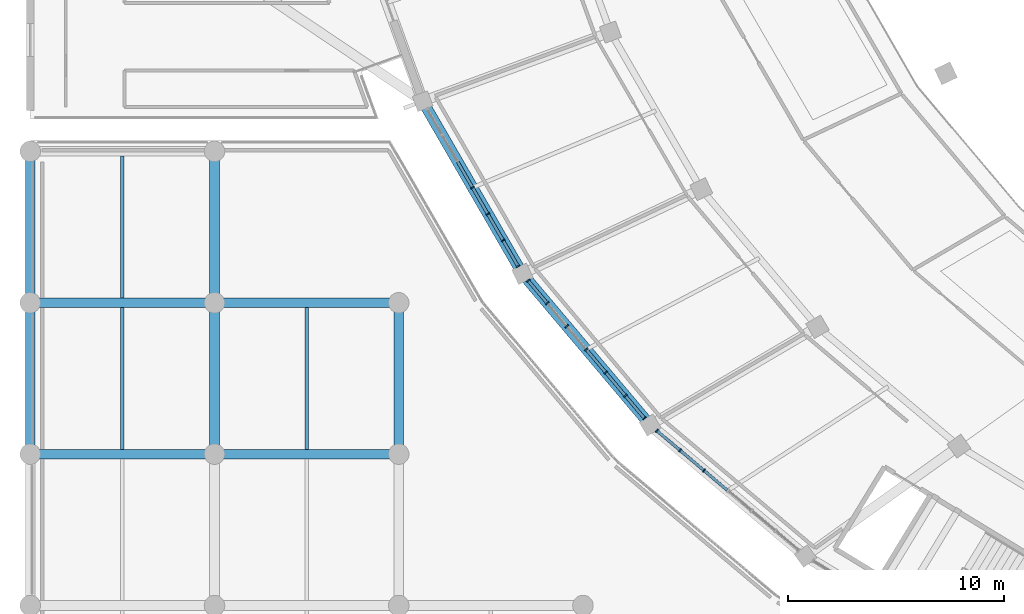
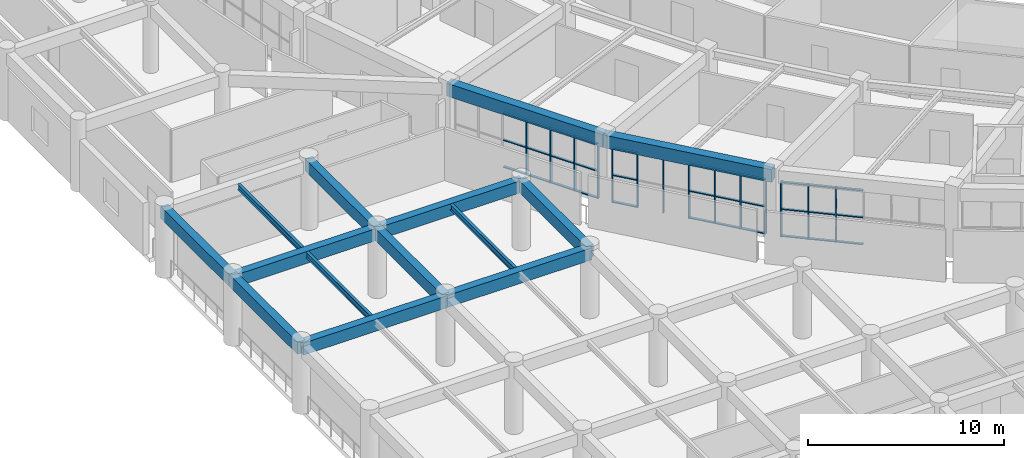
# One storey, part 17 of 141: 47 members, 14 beams, 3 elements without a shape of their own.
"""IFC4 building model written with IfcOpenShell, lengths in metres."""

from ifc_helpers import new_model, si_unit, direction, frame, origin, origin_2d, place, context, subcontext, project, spatial, rectangle, i_section, extrude, material, layer, layer_set, material_profile, profile_set, type_object, element, aggregate, save


model = new_model("IFC4")

# Units and contexts
model_context = context("Model", 3, precision=1e-05, world=origin(), true_north=direction((0.0, 1.0)))
body_context = subcontext(model_context, "Body", "Model", "MODEL_VIEW")
ifc_project = project(units=[si_unit("LENGTHUNIT", "METRE"), si_unit("AREAUNIT", "SQUARE_METRE"), si_unit("VOLUMEUNIT", "CUBIC_METRE"), si_unit("PLANEANGLEUNIT", "RADIAN"), si_unit("MASSUNIT", "GRAM", prefix="KILO")], contexts=[model_context])

# Site, building, storey
site_placement = place(None, origin())
site = spatial("IfcSite", under=ifc_project, at=site_placement, CompositionType="ELEMENT")
building_placement = place(site_placement, origin())
building = spatial("IfcBuilding", under=site, at=building_placement, Name="Mphavela Belvedere Stadium", CompositionType="ELEMENT")
storey_placement = place(building_placement, frame((0.0, 0.0, 14.699951171875)))
storey = spatial("IfcBuildingStorey", under=building, at=storey_placement, Name="L03", CompositionType="ELEMENT", Elevation=14.699951171875)

# Beams
ifc_material_1 = material(Name="Steel S355", Category="steel")
ifc_material_profile_1 = material_profile(ifc_material_1, i_section(OverallWidth=0.169921875, OverallDepth=0.360107421875, WebThickness=0.008056640625, FlangeThickness=0.0126953125, at=origin_2d()), Name="IPE 360")
ifc_profile_set_1 = profile_set([ifc_material_profile_1], Name="Steel S355")
beam_type_1 = type_object("IfcBeamType", Name="BM-JOIST-IPE360", PredefinedType="JOIST", material=ifc_profile_set_1)
for number, where, z_axis, x_axis, name in (
    (1, (4.259521484375, 35.22509765625, 4.06005859375), (0.0, 1.0, 0.0), (-1.0, 0.0, 0.0), "South Axial Triumphal Peristyle Portico secondary joist L03 1-6"),
    (2, (4.259521484375, 42.22509765625, 4.06005859375), (0.0, 1.0, 0.0), (-1.0, 0.0, 0.0), "South Axial Triumphal Peristyle Portico secondary joist L03 1-7"),
    (3, (12.778076171875, 35.22509765625, 4.06005859375), (0.0, 1.0, 0.0), (-1.0, 0.0, 0.0), "South Axial Triumphal Peristyle Portico secondary joist L03 2-6"),
):
    element("IfcBeam", number, at=place(storey_placement, frame(where, z_axis=z_axis, x_axis=x_axis)), inside=storey, type_object=beam_type_1, Name=name, PredefinedType="JOIST", context=body_context, shape_type="SweptSolid", body=[
        extrude(i_section(OverallWidth=0.169921875, OverallDepth=0.360107421875, WebThickness=0.008056640625, FlangeThickness=0.0126953125, at=origin_2d()), origin(), (0.0, 0.0, 1.0), 6.5498046875),
    ])
ifc_material_2 = material(Name="Concrete C40/50", Category="concrete")
ifc_material_profile_2 = material_profile(ifc_material_2, rectangle(XDim=0.449951171875, YDim=0.75, at=origin_2d()), Name="RC 450x750")
ifc_profile_set_2 = profile_set([ifc_material_profile_2], Name="Concrete C40/50")
beam_type_2 = type_object("IfcBeamType", Name="BM-RC450x750", PredefinedType="BEAM", material=ifc_profile_set_2)
beam_1_placement = place(storey_placement, frame((0.0, 35.0, 3.864990234375), z_axis=(1.0, 0.0, 0.0), x_axis=(0.0, 1.0, 0.0)))
element("IfcBeam", 4, at=beam_1_placement, inside=storey, type_object=beam_type_2, Name="South Axial Triumphal Peristyle Portico entablature beam X L03 1-6", PredefinedType="BEAM", context=body_context, shape_type="SweptSolid", body=[
    extrude(rectangle(XDim=0.449951171875, YDim=0.75, at=origin_2d()), origin(), (0.0, 0.0, 1.0), 8.51904296875),
])
beam_2_placement = place(storey_placement, frame((0.0, 35.0, 3.864990234375), z_axis=(0.0, 1.0, 0.0), x_axis=(-1.0, 0.0, 0.0)))
element("IfcBeam", 5, at=beam_2_placement, inside=storey, type_object=beam_type_2, Name="South Axial Triumphal Peristyle Portico entablature beam Y L03 1-6", PredefinedType="BEAM", context=body_context, shape_type="SweptSolid", body=[
    extrude(rectangle(XDim=0.449951171875, YDim=0.75, at=origin_2d()), origin(), (0.0, 0.0, 1.0), 7.0),
])
beam_3_placement = place(storey_placement, frame((0.0, 42.0, 3.864990234375), z_axis=(1.0, 0.0, 0.0), x_axis=(0.0, 1.0, 0.0)))
element("IfcBeam", 6, at=beam_3_placement, inside=storey, type_object=beam_type_2, Name="South Axial Triumphal Peristyle Portico entablature beam X L03 1-7", PredefinedType="BEAM", context=body_context, shape_type="SweptSolid", body=[
    extrude(rectangle(XDim=0.449951171875, YDim=0.75, at=origin_2d()), origin(), (0.0, 0.0, 1.0), 8.51904296875),
])
beam_4_placement = place(storey_placement, frame((0.0, 42.0, 3.864990234375), z_axis=(0.0, 1.0, 0.0), x_axis=(-1.0, 0.0, 0.0)))
element("IfcBeam", 7, at=beam_4_placement, inside=storey, type_object=beam_type_2, Name="South Axial Triumphal Peristyle Portico entablature beam Y L03 1-7", PredefinedType="BEAM", context=body_context, shape_type="SweptSolid", body=[
    extrude(rectangle(XDim=0.449951171875, YDim=0.75, at=origin_2d()), origin(), (0.0, 0.0, 1.0), 7.0),
])
beam_5_placement = place(storey_placement, frame((8.51904296875, 35.0, 3.864990234375), z_axis=(1.0, 0.0, 0.0), x_axis=(0.0, 1.0, 0.0)))
element("IfcBeam", 8, at=beam_5_placement, inside=storey, type_object=beam_type_2, Name="South Axial Triumphal Peristyle Portico entablature beam X L03 2-6", PredefinedType="BEAM", context=body_context, shape_type="SweptSolid", body=[
    extrude(rectangle(XDim=0.449951171875, YDim=0.75, at=origin_2d()), origin(), (0.0, 0.0, 1.0), 8.51806640625),
])
beam_6_placement = place(storey_placement, frame((8.51904296875, 35.0, 3.864990234375), z_axis=(0.0, 1.0, 0.0), x_axis=(-1.0, 0.0, 0.0)))
element("IfcBeam", 9, at=beam_6_placement, inside=storey, type_object=beam_type_2, Name="South Axial Triumphal Peristyle Portico entablature beam Y L03 2-6", PredefinedType="BEAM", context=body_context, shape_type="SweptSolid", body=[
    extrude(rectangle(XDim=0.449951171875, YDim=0.75, at=origin_2d()), origin(), (0.0, 0.0, 1.0), 7.0),
])
beam_7_placement = place(storey_placement, frame((8.51904296875, 42.0, 3.864990234375), z_axis=(1.0, 0.0, 0.0), x_axis=(0.0, 1.0, 0.0)))
element("IfcBeam", 10, at=beam_7_placement, inside=storey, type_object=beam_type_2, Name="South Axial Triumphal Peristyle Portico entablature beam X L03 2-7", PredefinedType="BEAM", context=body_context, shape_type="SweptSolid", body=[
    extrude(rectangle(XDim=0.449951171875, YDim=0.75, at=origin_2d()), origin(), (0.0, 0.0, 1.0), 8.51806640625),
])
for number, where, z_axis, x_axis, name in (
    (11, (8.51904296875, 42.0, 3.864990234375), (0.0, 1.0, 0.0), (-1.0, 0.0, 0.0), "South Axial Triumphal Peristyle Portico entablature beam Y L03 2-7"),
    (12, (17.037109375, 35.0, 3.864990234375), (0.0, 1.0, 0.0), (-1.0, 0.0, 0.0), "South Axial Triumphal Peristyle Portico entablature beam Y L03 3-6"),
):
    element("IfcBeam", number, at=place(storey_placement, frame(where, z_axis=z_axis, x_axis=x_axis)), inside=storey, type_object=beam_type_2, Name=name, PredefinedType="BEAM", context=body_context, shape_type="SweptSolid", body=[
        extrude(rectangle(XDim=0.449951171875, YDim=0.75, at=origin_2d()), origin(), (0.0, 0.0, 1.0), 7.0),
    ])
ifc_material_3 = material(Name="Concrete C40/50", Category="concrete")
ifc_material_profile_3 = material_profile(ifc_material_3, rectangle(XDim=0.5, YDim=0.800048828125, at=origin_2d()), Name="RC 500x800")
ifc_profile_set_3 = profile_set([ifc_material_profile_3], Name="Concrete C40/50")
beam_type_3 = type_object("IfcBeamType", Name="BM-SPANDREL-800", PredefinedType="SPANDREL", material=ifc_profile_set_3)
beam_8_placement = place(storey_placement, frame((18.143798828125, 51.317626953125, 3.85009765625), z_axis=(0.500565297122, -0.865698783248, 0.0), x_axis=(0.865698783248, 0.500565297122, 0.0)))
element("IfcBeam", 13, at=beam_8_placement, inside=storey, type_object=beam_type_3, Name="Circumferential girder L03 R4-28", PredefinedType="SPANDREL", context=body_context, shape_type="SweptSolid", body=[
    extrude(rectangle(XDim=0.5, YDim=0.800048828125, at=origin_2d()), origin(), (0.0, 0.0, 1.0), 9.217041015625),
])
beam_9_placement = place(storey_placement, frame((22.757568359375, 43.33837890625, 3.85009765625), z_axis=(0.645164552218, -0.764043650952, 0.0), x_axis=(0.764043650952, 0.645164552218, 0.0)))
element("IfcBeam", 14, at=beam_9_placement, inside=storey, type_object=beam_type_3, Name="Circumferential girder L03 R4-29", PredefinedType="SPANDREL", context=body_context, shape_type="SweptSolid", body=[
    extrude(rectangle(XDim=0.5, YDim=0.800048828125, at=origin_2d()), origin(), (0.0, 0.0, 1.0), 9.151123046875),
])

# Curtain wall, members
ifc_material_4 = material(Name="Anodised bronze unitised curtain wall framing")
ifc_layer_1 = layer(ifc_material_4, 0.199951171875)
ifc_layer_set_1 = layer_set([ifc_layer_1], Name="Anodised bronze unitised curtain wall framing")
curtain_wall_type_1 = type_object("IfcCurtainWallType", Name="CW-UNIT-05", PredefinedType="USERDEFINED", material=ifc_layer_set_1)
curtain_wall_1_placement = place(storey_placement, origin())
curtain_wall_1 = element("IfcCurtainWall", 15, at=curtain_wall_1_placement, inside=storey, type_object=curtain_wall_type_1, Name="Belvedere colonnade curtain wall L03-28", ObjectType="UNITISED CURTAIN WALL", PredefinedType="USERDEFINED")
ifc_material_5 = material(Name="Anodised bronze extruded aluminium", Category="aluminium")
ifc_material_profile_4 = material_profile(ifc_material_5, rectangle(XDim=0.179931640625, YDim=0.06494140625, at=origin_2d()), Name="CW-MUL 180x65")
ifc_profile_set_4 = profile_set([ifc_material_profile_4], Name="Anodised bronze extruded aluminium")
member_type_1 = type_object("IfcMemberType", Name="CWM-180x65", PredefinedType="MULLION", material=ifc_profile_set_4)
member_1_placement = place(storey_placement, frame((20.45068359375, 47.328125, 0.0), z_axis=(0.0, 0.0, 1.0), x_axis=(0.865705257789, 0.50055409961, 0.0)))
member_1 = element("IfcMember", 16, at=member_1_placement, type_object=member_type_1, Name="CW-05 mullion 4", PredefinedType="MULLION", context=body_context, shape_type="SweptSolid", body=[
    extrude(rectangle(XDim=0.179931640625, YDim=0.06494140625, at=origin_2d()), origin(), (0.0, 0.0, 1.0), 3.420166015625),
])
member_2_placement = place(storey_placement, frame((21.157470703125, 46.10595703125, 0.0), z_axis=(0.0, 0.0, 1.0), x_axis=(0.865705257789, 0.50055409961, 0.0)))
member_2 = element("IfcMember", 17, at=member_2_placement, type_object=member_type_1, Name="CW-05 mullion 5", PredefinedType="MULLION", context=body_context, shape_type="SweptSolid", body=[
    extrude(rectangle(XDim=0.179931640625, YDim=0.06494140625, at=origin_2d()), origin(), (0.0, 0.0, 1.0), 3.420166015625),
])
member_3_placement = place(storey_placement, frame((21.864013671875, 44.883544921875, 0.0), z_axis=(0.0, 0.0, 1.0), x_axis=(0.865705257789, 0.50055409961, 0.0)))
member_3 = element("IfcMember", 18, at=member_3_placement, type_object=member_type_1, Name="CW-05 mullion 6", PredefinedType="MULLION", context=body_context, shape_type="SweptSolid", body=[
    extrude(rectangle(XDim=0.179931640625, YDim=0.06494140625, at=origin_2d()), origin(), (0.0, 0.0, 1.0), 3.420166015625),
])
member_4_placement = place(storey_placement, frame((22.554443359375, 43.689453125, 0.0), z_axis=(0.0, 0.0, 1.0), x_axis=(0.865705257789, 0.50055409961, 0.0)))
member_4 = element("IfcMember", 19, at=member_4_placement, type_object=member_type_1, Name="CW-05 mullion 7", PredefinedType="MULLION", context=body_context, shape_type="SweptSolid", body=[
    extrude(rectangle(XDim=0.179931640625, YDim=0.06494140625, at=origin_2d()), origin(), (0.0, 0.0, 1.0), 3.420166015625),
])

ifc_material_6 = material(Name="Anodised bronze unitised curtain wall framing")
ifc_layer_2 = layer(ifc_material_6, 0.205078125)
ifc_layer_set_2 = layer_set([ifc_layer_2], Name="Anodised bronze unitised curtain wall framing")
curtain_wall_type_2 = type_object("IfcCurtainWallType", Name="CW-UNIT-06", PredefinedType="USERDEFINED", material=ifc_layer_set_2)
curtain_wall_2_placement = place(storey_placement, origin())
curtain_wall_2 = element("IfcCurtainWall", 20, at=curtain_wall_2_placement, inside=storey, type_object=curtain_wall_type_2, Name="Belvedere colonnade curtain wall L03-29", ObjectType="UNITISED CURTAIN WALL", PredefinedType="USERDEFINED")
member_5_placement = place(storey_placement, frame((23.01904296875, 43.028564453125, 0.0), z_axis=(0.0, 0.0, 1.0), x_axis=(0.76403121907, 0.645179274532, 0.0)))
member_5 = element("IfcMember", 21, at=member_5_placement, type_object=member_type_1, Name="CW-06 mullion 1", PredefinedType="MULLION", context=body_context, shape_type="SweptSolid", body=[
    extrude(rectangle(XDim=0.179931640625, YDim=0.06494140625, at=origin_2d()), origin(), (0.0, 0.0, 1.0), 3.420166015625),
])
member_6_placement = place(storey_placement, frame((23.90185546875, 41.983154296875, 0.0), z_axis=(0.0, 0.0, 1.0), x_axis=(0.76403121907, 0.645179274532, 0.0)))
member_6 = element("IfcMember", 22, at=member_6_placement, type_object=member_type_1, Name="CW-06 mullion 2", PredefinedType="MULLION", context=body_context, shape_type="SweptSolid", body=[
    extrude(rectangle(XDim=0.179931640625, YDim=0.06494140625, at=origin_2d()), origin(), (0.0, 0.0, 1.0), 3.420166015625),
])
member_7_placement = place(storey_placement, frame((24.8056640625, 40.912841796875, 0.0), z_axis=(0.0, 0.0, 1.0), x_axis=(0.76403121907, 0.645179274532, 0.0)))
member_7 = element("IfcMember", 23, at=member_7_placement, type_object=member_type_1, Name="CW-06 mullion 3", PredefinedType="MULLION", context=body_context, shape_type="SweptSolid", body=[
    extrude(rectangle(XDim=0.179931640625, YDim=0.06494140625, at=origin_2d()), origin(), (0.0, 0.0, 1.0), 3.420166015625),
])
member_8_placement = place(storey_placement, frame((25.709716796875, 39.842529296875, 0.0), z_axis=(0.0, 0.0, 1.0), x_axis=(0.76403121907, 0.645179274532, 0.0)))
member_8 = element("IfcMember", 24, at=member_8_placement, type_object=member_type_1, Name="CW-06 mullion 4", PredefinedType="MULLION", context=body_context, shape_type="SweptSolid", body=[
    extrude(rectangle(XDim=0.179931640625, YDim=0.06494140625, at=origin_2d()), origin(), (0.0, 0.0, 1.0), 3.420166015625),
])
member_9_placement = place(storey_placement, frame((26.613525390625, 38.772216796875, 0.0), z_axis=(0.0, 0.0, 1.0), x_axis=(0.76403121907, 0.645179274532, 0.0)))
member_9 = element("IfcMember", 25, at=member_9_placement, type_object=member_type_1, Name="CW-06 mullion 5", PredefinedType="MULLION", context=body_context, shape_type="SweptSolid", body=[
    extrude(rectangle(XDim=0.179931640625, YDim=0.06494140625, at=origin_2d()), origin(), (0.0, 0.0, 1.0), 3.420166015625),
])
member_10_placement = place(storey_placement, frame((27.517333984375, 37.701904296875, 0.0), z_axis=(0.0, 0.0, 1.0), x_axis=(0.76403121907, 0.645179274532, 0.0)))
member_10 = element("IfcMember", 26, at=member_10_placement, type_object=member_type_1, Name="CW-06 mullion 6", PredefinedType="MULLION", context=body_context, shape_type="SweptSolid", body=[
    extrude(rectangle(XDim=0.179931640625, YDim=0.06494140625, at=origin_2d()), origin(), (0.0, 0.0, 1.0), 3.420166015625),
])
member_11_placement = place(storey_placement, frame((28.400146484375, 36.65625, 0.0), z_axis=(0.0, 0.0, 1.0), x_axis=(0.76403121907, 0.645179274532, 0.0)))
member_11 = element("IfcMember", 27, at=member_11_placement, type_object=member_type_1, Name="CW-06 mullion 7", PredefinedType="MULLION", context=body_context, shape_type="SweptSolid", body=[
    extrude(rectangle(XDim=0.179931640625, YDim=0.06494140625, at=origin_2d()), origin(), (0.0, 0.0, 1.0), 3.420166015625),
])

ifc_material_7 = material(Name="Anodised bronze unitised curtain wall framing")
ifc_layer_3 = layer(ifc_material_7, 0.179931640625)
ifc_layer_set_3 = layer_set([ifc_layer_3], Name="Anodised bronze unitised curtain wall framing")
curtain_wall_type_3 = type_object("IfcCurtainWallType", Name="CW-UNIT-01", PredefinedType="USERDEFINED", material=ifc_layer_set_3)
curtain_wall_3_placement = place(storey_placement, origin())
curtain_wall_3 = element("IfcCurtainWall", 28, at=curtain_wall_3_placement, inside=storey, type_object=curtain_wall_type_3, Name="Belvedere colonnade curtain wall L03-30", ObjectType="UNITISED CURTAIN WALL", PredefinedType="USERDEFINED")
member_12_placement = place(storey_placement, frame((28.9716796875, 36.0849609375, 0.0), z_axis=(0.0, 0.0, 1.0), x_axis=(0.644904906656, 0.764262822183, 0.0)))
member_12 = element("IfcMember", 29, at=member_12_placement, type_object=member_type_1, Name="CW-01 mullion 1", PredefinedType="MULLION", context=body_context, shape_type="SweptSolid", body=[
    extrude(rectangle(XDim=0.179931640625, YDim=0.06494140625, at=origin_2d()), origin(), (0.0, 0.0, 1.0), 3.420166015625),
])
member_13_placement = place(storey_placement, frame((30.048828125, 35.176025390625, 0.0), z_axis=(0.0, 0.0, 1.0), x_axis=(0.644904906656, 0.764262822183, 0.0)))
member_13 = element("IfcMember", 30, at=member_13_placement, type_object=member_type_1, Name="CW-01 mullion 2", PredefinedType="MULLION", context=body_context, shape_type="SweptSolid", body=[
    extrude(rectangle(XDim=0.179931640625, YDim=0.06494140625, at=origin_2d()), origin(), (0.0, 0.0, 1.0), 3.420166015625),
])
member_14_placement = place(storey_placement, frame((31.15087890625, 34.245849609375, 0.0), z_axis=(0.0, 0.0, 1.0), x_axis=(0.644904906656, 0.764262822183, 0.0)))
member_14 = element("IfcMember", 31, at=member_14_placement, type_object=member_type_1, Name="CW-01 mullion 3", PredefinedType="MULLION", context=body_context, shape_type="SweptSolid", body=[
    extrude(rectangle(XDim=0.179931640625, YDim=0.06494140625, at=origin_2d()), origin(), (0.0, 0.0, 1.0), 3.420166015625),
])

# Member
ifc_material_8 = material(Name="Anodised bronze extruded aluminium", Category="aluminium")
ifc_material_profile_5 = material_profile(ifc_material_8, rectangle(XDim=0.139892578125, YDim=0.06005859375, at=origin_2d()), Name="CW-TRN 140x60")
ifc_profile_set_5 = profile_set([ifc_material_profile_5], Name="Anodised bronze extruded aluminium")
member_type_2 = type_object("IfcMemberType", Name="CWT-140x60", PredefinedType="USERDEFINED", material=ifc_profile_set_5)
member_15_placement = place(storey_placement, frame((19.76025390625, 48.522216796875, 0.030029296875), z_axis=(0.500485966498, -0.865744649038, 0.0), x_axis=(0.865744649038, 0.500485966498, 0.0)))
member_15 = element("IfcMember", 32, at=member_15_placement, type_object=member_type_2, Name="CW-05 transom 3.1", ObjectType="TRANSOM", PredefinedType="USERDEFINED", context=body_context, shape_type="SweptSolid", body=[
    extrude(rectangle(XDim=0.139892578125, YDim=0.06005859375, at=origin_2d()), origin(), (0.0, 0.0, 1.0), 1.346923828125),
])

member_16_placement = place(storey_placement, frame((19.76025390625, 48.522216796875, 1.7099609375), z_axis=(0.500485966498, -0.865744649038, 0.0), x_axis=(0.865744649038, 0.500485966498, 0.0)))
member_16 = element("IfcMember", 33, at=member_16_placement, type_object=member_type_2, Name="CW-05 transom 3.2", ObjectType="TRANSOM", PredefinedType="USERDEFINED", context=body_context, shape_type="SweptSolid", body=[
    extrude(rectangle(XDim=0.139892578125, YDim=0.06005859375, at=origin_2d()), origin(), (0.0, 0.0, 1.0), 1.346923828125),
])

member_17_placement = place(storey_placement, frame((19.76025390625, 48.522216796875, 3.39013671875), z_axis=(0.500485966498, -0.865744649038, 0.0), x_axis=(0.865744649038, 0.500485966498, 0.0)))
member_17 = element("IfcMember", 34, at=member_17_placement, type_object=member_type_2, Name="CW-05 transom 3.3", ObjectType="TRANSOM", PredefinedType="USERDEFINED", context=body_context, shape_type="SweptSolid", body=[
    extrude(rectangle(XDim=0.139892578125, YDim=0.06005859375, at=origin_2d()), origin(), (0.0, 0.0, 1.0), 1.346923828125),
])

member_18_placement = place(storey_placement, frame((20.467041015625, 47.300048828125, 0.030029296875), z_axis=(0.500485966498, -0.865744649038, 0.0), x_axis=(0.865744649038, 0.500485966498, 0.0)))
member_18 = element("IfcMember", 35, at=member_18_placement, type_object=member_type_2, Name="CW-05 transom 4.1", ObjectType="TRANSOM", PredefinedType="USERDEFINED", context=body_context, shape_type="SweptSolid", body=[
    extrude(rectangle(XDim=0.139892578125, YDim=0.06005859375, at=origin_2d()), origin(), (0.0, 0.0, 1.0), 1.346923828125),
])

member_19_placement = place(storey_placement, frame((20.467041015625, 47.300048828125, 1.7099609375), z_axis=(0.500485966498, -0.865744649038, 0.0), x_axis=(0.865744649038, 0.500485966498, 0.0)))
member_19 = element("IfcMember", 36, at=member_19_placement, type_object=member_type_2, Name="CW-05 transom 4.2", ObjectType="TRANSOM", PredefinedType="USERDEFINED", context=body_context, shape_type="SweptSolid", body=[
    extrude(rectangle(XDim=0.139892578125, YDim=0.06005859375, at=origin_2d()), origin(), (0.0, 0.0, 1.0), 1.346923828125),
])

member_20_placement = place(storey_placement, frame((20.467041015625, 47.300048828125, 3.39013671875), z_axis=(0.500485966498, -0.865744649038, 0.0), x_axis=(0.865744649038, 0.500485966498, 0.0)))
member_20 = element("IfcMember", 37, at=member_20_placement, type_object=member_type_2, Name="CW-05 transom 4.3", ObjectType="TRANSOM", PredefinedType="USERDEFINED", context=body_context, shape_type="SweptSolid", body=[
    extrude(rectangle(XDim=0.139892578125, YDim=0.06005859375, at=origin_2d()), origin(), (0.0, 0.0, 1.0), 1.346923828125),
])

member_21_placement = place(storey_placement, frame((21.173583984375, 46.07763671875, 0.030029296875), z_axis=(0.500700372519, -0.865620665742, 0.0), x_axis=(0.865620665742, 0.500700372519, 0.0)))
member_21 = element("IfcMember", 38, at=member_21_placement, type_object=member_type_2, Name="CW-05 transom 5.1", ObjectType="TRANSOM", PredefinedType="USERDEFINED", context=body_context, shape_type="SweptSolid", body=[
    extrude(rectangle(XDim=0.139892578125, YDim=0.06005859375, at=origin_2d()), origin(), (0.0, 0.0, 1.0), 1.3466796875),
])

member_22_placement = place(storey_placement, frame((21.173583984375, 46.07763671875, 1.7099609375), z_axis=(0.500700372519, -0.865620665742, 0.0), x_axis=(0.865620665742, 0.500700372519, 0.0)))
member_22 = element("IfcMember", 39, at=member_22_placement, type_object=member_type_2, Name="CW-05 transom 5.2", ObjectType="TRANSOM", PredefinedType="USERDEFINED", context=body_context, shape_type="SweptSolid", body=[
    extrude(rectangle(XDim=0.139892578125, YDim=0.06005859375, at=origin_2d()), origin(), (0.0, 0.0, 1.0), 1.3466796875),
])

member_23_placement = place(storey_placement, frame((21.173583984375, 46.07763671875, 3.39013671875), z_axis=(0.500700372519, -0.865620665742, 0.0), x_axis=(0.865620665742, 0.500700372519, 0.0)))
member_23 = element("IfcMember", 40, at=member_23_placement, type_object=member_type_2, Name="CW-05 transom 5.3", ObjectType="TRANSOM", PredefinedType="USERDEFINED", context=body_context, shape_type="SweptSolid", body=[
    extrude(rectangle(XDim=0.139892578125, YDim=0.06005859375, at=origin_2d()), origin(), (0.0, 0.0, 1.0), 1.3466796875),
])

member_24_placement = place(storey_placement, frame((21.88037109375, 44.85546875, 0.030029296875), z_axis=(0.500633471094, -0.865659360037, 0.0), x_axis=(0.865659360037, 0.500633471094, 0.0)))
member_24 = element("IfcMember", 41, at=member_24_placement, type_object=member_type_2, Name="CW-05 transom 6.1", ObjectType="TRANSOM", PredefinedType="USERDEFINED", context=body_context, shape_type="SweptSolid", body=[
    extrude(rectangle(XDim=0.139892578125, YDim=0.06005859375, at=origin_2d()), origin(), (0.0, 0.0, 1.0), 1.314208984375),
])

member_25_placement = place(storey_placement, frame((21.88037109375, 44.85546875, 1.7099609375), z_axis=(0.500633471094, -0.865659360037, 0.0), x_axis=(0.865659360037, 0.500633471094, 0.0)))
member_25 = element("IfcMember", 42, at=member_25_placement, type_object=member_type_2, Name="CW-05 transom 6.2", ObjectType="TRANSOM", PredefinedType="USERDEFINED", context=body_context, shape_type="SweptSolid", body=[
    extrude(rectangle(XDim=0.139892578125, YDim=0.06005859375, at=origin_2d()), origin(), (0.0, 0.0, 1.0), 1.314208984375),
])

member_26_placement = place(storey_placement, frame((21.88037109375, 44.85546875, 3.39013671875), z_axis=(0.500633471094, -0.865659360037, 0.0), x_axis=(0.865659360037, 0.500633471094, 0.0)))
member_26 = element("IfcMember", 43, at=member_26_placement, type_object=member_type_2, Name="CW-05 transom 6.3", ObjectType="TRANSOM", PredefinedType="USERDEFINED", context=body_context, shape_type="SweptSolid", body=[
    extrude(rectangle(XDim=0.139892578125, YDim=0.06005859375, at=origin_2d()), origin(), (0.0, 0.0, 1.0), 1.314208984375),
])

aggregate(curtain_wall_1, [member_1, member_2, member_3, member_4, member_15, member_16, member_17, member_18, member_19, member_20, member_21, member_22, member_23, member_24, member_25, member_26])

member_27_placement = place(storey_placement, frame((23.0400390625, 43.00390625, 0.030029296875), z_axis=(0.645127358185, -0.76407505634, 0.0), x_axis=(0.76407505634, 0.645127358185, 0.0)))
member_27 = element("IfcMember", 44, at=member_27_placement, type_object=member_type_2, Name="CW-06 transom 1.1", ObjectType="TRANSOM", PredefinedType="USERDEFINED", context=body_context, shape_type="SweptSolid", body=[
    extrude(rectangle(XDim=0.139892578125, YDim=0.06005859375, at=origin_2d()), origin(), (0.0, 0.0, 1.0), 1.30322265625),
])

member_28_placement = place(storey_placement, frame((23.0400390625, 43.00390625, 1.7099609375), z_axis=(0.645127358185, -0.76407505634, 0.0), x_axis=(0.76407505634, 0.645127358185, 0.0)))
member_28 = element("IfcMember", 45, at=member_28_placement, type_object=member_type_2, Name="CW-06 transom 1.2", ObjectType="TRANSOM", PredefinedType="USERDEFINED", context=body_context, shape_type="SweptSolid", body=[
    extrude(rectangle(XDim=0.139892578125, YDim=0.06005859375, at=origin_2d()), origin(), (0.0, 0.0, 1.0), 1.30322265625),
])

member_29_placement = place(storey_placement, frame((23.0400390625, 43.00390625, 3.39013671875), z_axis=(0.645127358185, -0.76407505634, 0.0), x_axis=(0.76407505634, 0.645127358185, 0.0)))
member_29 = element("IfcMember", 46, at=member_29_placement, type_object=member_type_2, Name="CW-06 transom 1.3", ObjectType="TRANSOM", PredefinedType="USERDEFINED", context=body_context, shape_type="SweptSolid", body=[
    extrude(rectangle(XDim=0.139892578125, YDim=0.06005859375, at=origin_2d()), origin(), (0.0, 0.0, 1.0), 1.30322265625),
])

member_30_placement = place(storey_placement, frame((25.73046875, 39.817626953125, 0.030029296875), z_axis=(0.645311197861, -0.763919798091, 0.0), x_axis=(0.763919798091, 0.645311197861, 0.0)))
member_30 = element("IfcMember", 47, at=member_30_placement, type_object=member_type_2, Name="CW-06 transom 4.1", ObjectType="TRANSOM", PredefinedType="USERDEFINED", context=body_context, shape_type="SweptSolid", body=[
    extrude(rectangle(XDim=0.139892578125, YDim=0.06005859375, at=origin_2d()), origin(), (0.0, 0.0, 1.0), 1.3359375),
])

member_31_placement = place(storey_placement, frame((25.73046875, 39.817626953125, 1.7099609375), z_axis=(0.645311197861, -0.763919798091, 0.0), x_axis=(0.763919798091, 0.645311197861, 0.0)))
member_31 = element("IfcMember", 48, at=member_31_placement, type_object=member_type_2, Name="CW-06 transom 4.2", ObjectType="TRANSOM", PredefinedType="USERDEFINED", context=body_context, shape_type="SweptSolid", body=[
    extrude(rectangle(XDim=0.139892578125, YDim=0.06005859375, at=origin_2d()), origin(), (0.0, 0.0, 1.0), 1.3359375),
])

member_32_placement = place(storey_placement, frame((25.73046875, 39.817626953125, 3.39013671875), z_axis=(0.645311197861, -0.763919798091, 0.0), x_axis=(0.763919798091, 0.645311197861, 0.0)))
member_32 = element("IfcMember", 49, at=member_32_placement, type_object=member_type_2, Name="CW-06 transom 4.3", ObjectType="TRANSOM", PredefinedType="USERDEFINED", context=body_context, shape_type="SweptSolid", body=[
    extrude(rectangle(XDim=0.139892578125, YDim=0.06005859375, at=origin_2d()), origin(), (0.0, 0.0, 1.0), 1.3359375),
])

member_33_placement = place(storey_placement, frame((26.634521484375, 38.747314453125, 0.030029296875), z_axis=(0.645114436759, -0.764085966031, 0.0), x_axis=(0.764085966031, 0.645114436759, 0.0)))
member_33 = element("IfcMember", 50, at=member_33_placement, type_object=member_type_2, Name="CW-06 transom 5.1", ObjectType="TRANSOM", PredefinedType="USERDEFINED", context=body_context, shape_type="SweptSolid", body=[
    extrude(rectangle(XDim=0.139892578125, YDim=0.06005859375, at=origin_2d()), origin(), (0.0, 0.0, 1.0), 1.3359375),
])

member_34_placement = place(storey_placement, frame((26.634521484375, 38.747314453125, 1.7099609375), z_axis=(0.645114436759, -0.764085966031, 0.0), x_axis=(0.764085966031, 0.645114436759, 0.0)))
member_34 = element("IfcMember", 51, at=member_34_placement, type_object=member_type_2, Name="CW-06 transom 5.2", ObjectType="TRANSOM", PredefinedType="USERDEFINED", context=body_context, shape_type="SweptSolid", body=[
    extrude(rectangle(XDim=0.139892578125, YDim=0.06005859375, at=origin_2d()), origin(), (0.0, 0.0, 1.0), 1.3359375),
])

member_35_placement = place(storey_placement, frame((26.634521484375, 38.747314453125, 3.39013671875), z_axis=(0.645114436759, -0.764085966031, 0.0), x_axis=(0.764085966031, 0.645114436759, 0.0)))
member_35 = element("IfcMember", 52, at=member_35_placement, type_object=member_type_2, Name="CW-06 transom 5.3", ObjectType="TRANSOM", PredefinedType="USERDEFINED", context=body_context, shape_type="SweptSolid", body=[
    extrude(rectangle(XDim=0.139892578125, YDim=0.06005859375, at=origin_2d()), origin(), (0.0, 0.0, 1.0), 1.3359375),
])

member_36_placement = place(storey_placement, frame((27.538330078125, 37.677001953125, 0.030029296875), z_axis=(0.645127358185, -0.76407505634, 0.0), x_axis=(0.76407505634, 0.645127358185, 0.0)))
member_36 = element("IfcMember", 53, at=member_36_placement, type_object=member_type_2, Name="CW-06 transom 6.1", ObjectType="TRANSOM", PredefinedType="USERDEFINED", context=body_context, shape_type="SweptSolid", body=[
    extrude(rectangle(XDim=0.139892578125, YDim=0.06005859375, at=origin_2d()), origin(), (0.0, 0.0, 1.0), 1.30322265625),
])

member_37_placement = place(storey_placement, frame((27.538330078125, 37.677001953125, 1.7099609375), z_axis=(0.645127358185, -0.76407505634, 0.0), x_axis=(0.76407505634, 0.645127358185, 0.0)))
member_37 = element("IfcMember", 54, at=member_37_placement, type_object=member_type_2, Name="CW-06 transom 6.2", ObjectType="TRANSOM", PredefinedType="USERDEFINED", context=body_context, shape_type="SweptSolid", body=[
    extrude(rectangle(XDim=0.139892578125, YDim=0.06005859375, at=origin_2d()), origin(), (0.0, 0.0, 1.0), 1.30322265625),
])

member_38_placement = place(storey_placement, frame((27.538330078125, 37.677001953125, 3.39013671875), z_axis=(0.645127358185, -0.76407505634, 0.0), x_axis=(0.76407505634, 0.645127358185, 0.0)))
member_38 = element("IfcMember", 55, at=member_38_placement, type_object=member_type_2, Name="CW-06 transom 6.3", ObjectType="TRANSOM", PredefinedType="USERDEFINED", context=body_context, shape_type="SweptSolid", body=[
    extrude(rectangle(XDim=0.139892578125, YDim=0.06005859375, at=origin_2d()), origin(), (0.0, 0.0, 1.0), 1.30322265625),
])

aggregate(curtain_wall_2, [member_5, member_6, member_7, member_8, member_9, member_10, member_11, member_27, member_28, member_29, member_30, member_31, member_32, member_33, member_34, member_35, member_36, member_37, member_38])

member_39_placement = place(storey_placement, frame((28.99658203125, 36.06396484375, 0.030029296875), z_axis=(0.764157212068, -0.645030042126, 0.0), x_axis=(0.645030042126, 0.764157212068, 0.0)))
member_39 = element("IfcMember", 56, at=member_39_placement, type_object=member_type_2, Name="CW-01 transom 1.1", ObjectType="TRANSOM", PredefinedType="USERDEFINED", context=body_context, shape_type="SweptSolid", body=[
    extrude(rectangle(XDim=0.139892578125, YDim=0.06005859375, at=origin_2d()), origin(), (0.0, 0.0, 1.0), 1.344482421875),
])

member_40_placement = place(storey_placement, frame((28.99658203125, 36.06396484375, 1.7099609375), z_axis=(0.764157212068, -0.645030042126, 0.0), x_axis=(0.645030042126, 0.764157212068, 0.0)))
member_40 = element("IfcMember", 57, at=member_40_placement, type_object=member_type_2, Name="CW-01 transom 1.2", ObjectType="TRANSOM", PredefinedType="USERDEFINED", context=body_context, shape_type="SweptSolid", body=[
    extrude(rectangle(XDim=0.139892578125, YDim=0.06005859375, at=origin_2d()), origin(), (0.0, 0.0, 1.0), 1.344482421875),
])

member_41_placement = place(storey_placement, frame((28.99658203125, 36.06396484375, 3.39013671875), z_axis=(0.764157212068, -0.645030042126, 0.0), x_axis=(0.645030042126, 0.764157212068, 0.0)))
member_41 = element("IfcMember", 58, at=member_41_placement, type_object=member_type_2, Name="CW-01 transom 1.3", ObjectType="TRANSOM", PredefinedType="USERDEFINED", context=body_context, shape_type="SweptSolid", body=[
    extrude(rectangle(XDim=0.139892578125, YDim=0.06005859375, at=origin_2d()), origin(), (0.0, 0.0, 1.0), 1.344482421875),
])

member_42_placement = place(storey_placement, frame((30.07373046875, 35.155029296875, 0.030029296875), z_axis=(0.764239602588, -0.64493242269, 0.0), x_axis=(0.64493242269, 0.764239602588, 0.0)))
member_42 = element("IfcMember", 59, at=member_42_placement, type_object=member_type_2, Name="CW-01 transom 2.1", ObjectType="TRANSOM", PredefinedType="USERDEFINED", context=body_context, shape_type="SweptSolid", body=[
    extrude(rectangle(XDim=0.139892578125, YDim=0.06005859375, at=origin_2d()), origin(), (0.0, 0.0, 1.0), 1.377197265625),
])

member_43_placement = place(storey_placement, frame((30.07373046875, 35.155029296875, 1.7099609375), z_axis=(0.764239602588, -0.64493242269, 0.0), x_axis=(0.64493242269, 0.764239602588, 0.0)))
member_43 = element("IfcMember", 60, at=member_43_placement, type_object=member_type_2, Name="CW-01 transom 2.2", ObjectType="TRANSOM", PredefinedType="USERDEFINED", context=body_context, shape_type="SweptSolid", body=[
    extrude(rectangle(XDim=0.139892578125, YDim=0.06005859375, at=origin_2d()), origin(), (0.0, 0.0, 1.0), 1.377197265625),
])

member_44_placement = place(storey_placement, frame((30.07373046875, 35.155029296875, 3.39013671875), z_axis=(0.764239602588, -0.64493242269, 0.0), x_axis=(0.64493242269, 0.764239602588, 0.0)))
member_44 = element("IfcMember", 61, at=member_44_placement, type_object=member_type_2, Name="CW-01 transom 2.3", ObjectType="TRANSOM", PredefinedType="USERDEFINED", context=body_context, shape_type="SweptSolid", body=[
    extrude(rectangle(XDim=0.139892578125, YDim=0.06005859375, at=origin_2d()), origin(), (0.0, 0.0, 1.0), 1.377197265625),
])

member_45_placement = place(storey_placement, frame((31.17578125, 34.22509765625, 0.030029296875), z_axis=(0.764239602588, -0.64493242269, 0.0), x_axis=(0.64493242269, 0.764239602588, 0.0)))
member_45 = element("IfcMember", 62, at=member_45_placement, type_object=member_type_2, Name="CW-01 transom 3.1", ObjectType="TRANSOM", PredefinedType="USERDEFINED", context=body_context, shape_type="SweptSolid", body=[
    extrude(rectangle(XDim=0.139892578125, YDim=0.06005859375, at=origin_2d()), origin(), (0.0, 0.0, 1.0), 1.377197265625),
])

member_46_placement = place(storey_placement, frame((31.17578125, 34.22509765625, 1.7099609375), z_axis=(0.764239602588, -0.64493242269, 0.0), x_axis=(0.64493242269, 0.764239602588, 0.0)))
member_46 = element("IfcMember", 63, at=member_46_placement, type_object=member_type_2, Name="CW-01 transom 3.2", ObjectType="TRANSOM", PredefinedType="USERDEFINED", context=body_context, shape_type="SweptSolid", body=[
    extrude(rectangle(XDim=0.139892578125, YDim=0.06005859375, at=origin_2d()), origin(), (0.0, 0.0, 1.0), 1.377197265625),
])

member_47_placement = place(storey_placement, frame((31.17578125, 34.22509765625, 3.39013671875), z_axis=(0.764239602588, -0.64493242269, 0.0), x_axis=(0.64493242269, 0.764239602588, 0.0)))
member_47 = element("IfcMember", 64, at=member_47_placement, type_object=member_type_2, Name="CW-01 transom 3.3", ObjectType="TRANSOM", PredefinedType="USERDEFINED", context=body_context, shape_type="SweptSolid", body=[
    extrude(rectangle(XDim=0.139892578125, YDim=0.06005859375, at=origin_2d()), origin(), (0.0, 0.0, 1.0), 1.377197265625),
])

aggregate(curtain_wall_3, [member_12, member_13, member_14, member_39, member_40, member_41, member_42, member_43, member_44, member_45, member_46, member_47])

save(model, "model.ifc")
